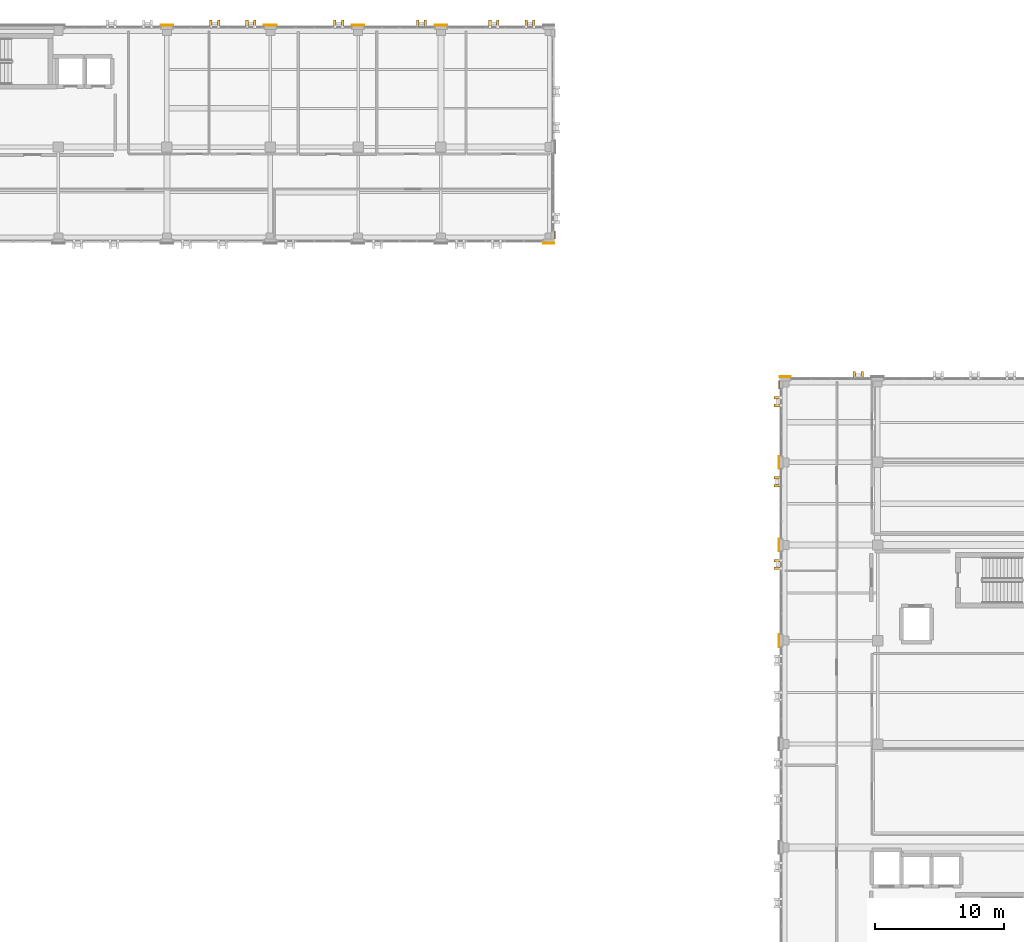
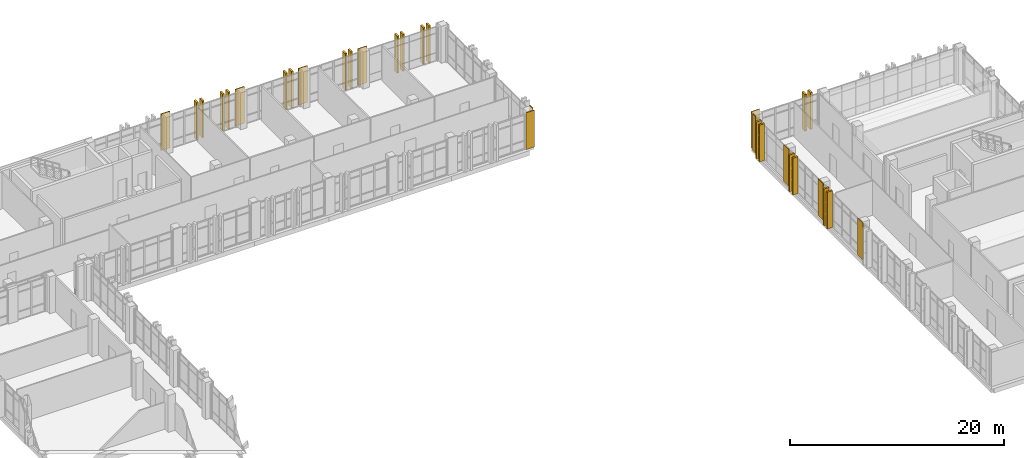
# One storey, part 158 of 165: 31 coverings.
"""IFC4 building model written with IfcOpenShell, lengths in metres."""

from ifc_helpers import new_model, si_unit, direction, frame, origin, origin_2d, place, context, subcontext, project, spatial, rectangle, extrude, material, layer, layer_set, type_object, element, save


model = new_model("IFC4")

# Units and contexts
model_context = context("Model", 3, precision=1e-05, world=origin(), true_north=direction((0.0, 1.0)))
body_context = subcontext(model_context, "Body", "Model", "MODEL_VIEW")
ifc_project = project(units=[si_unit("LENGTHUNIT", "METRE"), si_unit("AREAUNIT", "SQUARE_METRE"), si_unit("VOLUMEUNIT", "CUBIC_METRE"), si_unit("PLANEANGLEUNIT", "RADIAN"), si_unit("MASSUNIT", "GRAM", prefix="KILO")], contexts=[model_context])

# Site, building, storey
site_placement = place(None, origin())
site = spatial("IfcSite", under=ifc_project, at=site_placement, CompositionType="ELEMENT")
building_placement = place(site_placement, origin())
building = spatial("IfcBuilding", under=site, at=building_placement, Name="Qalavern Law Courts", CompositionType="ELEMENT")
storey_placement = place(building_placement, frame((0.0, 0.0, 14.39990234375)))
storey = spatial("IfcBuildingStorey", under=building, at=storey_placement, Name="L03", CompositionType="ELEMENT", Elevation=14.39990234375)

# Coverings
ifc_material = material(Name="Precast concrete C40/50", Category="concrete")
ifc_layer_1 = layer(ifc_material, 0.199951171875)
ifc_layer_set_1 = layer_set([ifc_layer_1], Name="Precast concrete C40/50")
covering_type_1 = type_object("IfcCoveringType", Name="ENV-BLD-1", PredefinedType="CLADDING", material=ifc_layer_set_1)
for number, where, z_axis, x_axis, name in (
    (1, (90.60009765625, 85.96240234375, 0.005126953125), (0.0, 0.0, 1.0), (0.0, 1.0, 0.0), "Absheron stone facade blade 0647"),
    (2, (90.0, 85.96240234375, 0.005126953125), (0.0, 0.0, 1.0), (0.0, 1.0, 0.0), "Absheron stone facade blade 0648"),
    (3, (84.03759765625, 84.199951171875, 0.005126953125), (0.0, 0.0, 1.0), (-1.0, 0.0, 0.0), "Absheron stone facade blade 0649"),
    (4, (84.03759765625, 83.60009765625, 0.005126953125), (0.0, 0.0, 1.0), (-1.0, 0.0, 0.0), "Absheron stone facade blade 0650"),
    (5, (84.03759765625, 78.0, 0.005126953125), (0.0, 0.0, 1.0), (-1.0, 0.0, 0.0), "Absheron stone facade blade 0651"),
    (6, (84.03759765625, 77.39990234375, 0.005126953125), (0.0, 0.0, 1.0), (-1.0, 0.0, 0.0), "Absheron stone facade blade 0652"),
    (7, (84.03759765625, 71.60009765625, 0.005126953125), (0.0, 0.0, 1.0), (-1.0, 0.0, 0.0), "Absheron stone facade blade 0653"),
    (8, (84.03759765625, 71.0, 0.005126953125), (0.0, 0.0, 1.0), (-1.0, 0.0, 0.0), "Absheron stone facade blade 0654"),
    (9, (65.199951171875, 113.16259765625, 0.005126953125), (0.0, 0.0, 1.0), (0.0, 1.0, 0.0), "Absheron stone facade blade 1035"),
    (10, (64.60009765625, 113.16259765625, 0.005126953125), (0.0, 0.0, 1.0), (0.0, 1.0, 0.0), "Absheron stone facade blade 1036"),
    (11, (62.39990234375, 113.16259765625, 0.005126953125), (0.0, 0.0, 1.0), (0.0, 1.0, 0.0), "Absheron stone facade blade 1037"),
    (12, (61.800048828125, 113.16259765625, 0.005126953125), (0.0, 0.0, 1.0), (0.0, 1.0, 0.0), "Absheron stone facade blade 1038"),
    (13, (56.800048828125, 113.16259765625, 0.005126953125), (0.0, 0.0, 1.0), (0.0, 1.0, 0.0), "Absheron stone facade blade 1039"),
    (14, (56.199951171875, 113.16259765625, 0.005126953125), (0.0, 0.0, 1.0), (0.0, 1.0, 0.0), "Absheron stone facade blade 1040"),
    (15, (50.39990234375, 113.16259765625, 0.005126953125), (0.0, 0.0, 1.0), (0.0, 1.0, 0.0), "Absheron stone facade blade 1041"),
    (16, (49.800048828125, 113.16259765625, 0.005126953125), (0.0, 0.0, 1.0), (0.0, 1.0, 0.0), "Absheron stone facade blade 1042"),
    (17, (43.60009765625, 113.16259765625, 0.005126953125), (0.0, 0.0, 1.0), (0.0, 1.0, 0.0), "Absheron stone facade blade 1043"),
    (18, (43.0, 113.16259765625, 0.005126953125), (0.0, 0.0, 1.0), (0.0, 1.0, 0.0), "Absheron stone facade blade 1044"),
    (19, (40.800048828125, 113.16259765625, 0.005126953125), (0.0, 0.0, 1.0), (0.0, 1.0, 0.0), "Absheron stone facade blade 1045"),
    (20, (40.199951171875, 113.16259765625, 0.005126953125), (0.0, 0.0, 1.0), (0.0, 1.0, 0.0), "Absheron stone facade blade 1046"),
):
    element("IfcCovering", number, at=place(storey_placement, frame(where, z_axis=z_axis, x_axis=x_axis)), inside=storey, type_object=covering_type_1, Name=name, PredefinedType="CLADDING", context=body_context, shape_type="SweptSolid", body=[
        extrude(rectangle(XDim=0.5400390625, YDim=0.199951171875, at=origin_2d()), origin(), (0.0, 0.0, 1.0), 4.18994140625),
    ])
ifc_layer_2 = layer(ifc_material, 0.072021484375)
ifc_layer_set_2 = layer_set([ifc_layer_2], Name="Precast concrete C40/50")
covering_type_2 = type_object("IfcCoveringType", Name="ENV-CLD-2", PredefinedType="CLADDING", material=ifc_layer_set_2)
covering_1_placement = place(storey_placement, frame((84.64990234375, 85.8330078125, 0.01025390625), z_axis=(0.0, 0.0, 1.0), x_axis=(-1.0, 0.0, 0.0)))
element("IfcCovering", 21, at=covering_1_placement, inside=storey, type_object=covering_type_2, Name="V4 Absheron limestone pier facing L03 north 3", PredefinedType="CLADDING", context=body_context, shape_type="SweptSolid", body=[
    extrude(rectangle(XDim=0.8798828125, YDim=0.072021484375, at=origin_2d()), origin(), (0.0, 0.0, 1.0), 4.179931640625),
])
covering_2_placement = place(storey_placement, frame((84.1669921875, 85.205078125, 0.01025390625), z_axis=(0.0, 0.0, 1.0), x_axis=(0.0, -1.0, 0.0)))
element("IfcCovering", 22, at=covering_2_placement, inside=storey, type_object=covering_type_2, Name="V4 Absheron limestone pier facing L03 west 1", PredefinedType="CLADDING", context=body_context, shape_type="SweptSolid", body=[
    extrude(rectangle(XDim=0.590087890625, YDim=0.072021484375, at=origin_2d()), origin(), (0.0, 0.0, 1.0), 4.179931640625),
])
for number, where, z_axis, x_axis, name in (
    (23, (84.1669921875, 79.199951171875, 0.01025390625), (0.0, 0.0, 1.0), (0.0, -1.0, 0.0), "V4 Absheron limestone pier facing L03 west 2"),
    (24, (84.1669921875, 72.800048828125, 0.01025390625), (0.0, 0.0, 1.0), (0.0, -1.0, 0.0), "V4 Absheron limestone pier facing L03 west 3"),
    (25, (84.1669921875, 65.39990234375, 0.01025390625), (0.0, 0.0, 1.0), (0.0, -1.0, 0.0), "V4 Absheron limestone pier facing L03 west 4"),
):
    element("IfcCovering", number, at=place(storey_placement, frame(where, z_axis=z_axis, x_axis=x_axis)), inside=storey, type_object=covering_type_2, Name=name, PredefinedType="CLADDING", context=body_context, shape_type="SweptSolid", body=[
        extrude(rectangle(XDim=0.97998046875, YDim=0.072021484375, at=origin_2d()), origin(), (0.0, 0.0, 1.0), 4.179931640625),
    ])
covering_3_placement = place(storey_placement, frame((66.35009765625, 96.1669921875, 0.01025390625), z_axis=(0.0, 0.0, 1.0), x_axis=(1.0, 0.0, 0.0)))
element("IfcCovering", 26, at=covering_3_placement, inside=storey, type_object=covering_type_2, Name="V5 Absheron limestone pier facing L03 south 7", PredefinedType="CLADDING", context=body_context, shape_type="SweptSolid", body=[
    extrude(rectangle(XDim=0.8798828125, YDim=0.072021484375, at=origin_2d()), origin(), (0.0, 0.0, 1.0), 4.179931640625),
])
covering_4_placement = place(storey_placement, frame((66.8330078125, 96.794921875, 0.01025390625), z_axis=(0.0, 0.0, 1.0), x_axis=(0.0, 1.0, 0.0)))
element("IfcCovering", 27, at=covering_4_placement, inside=storey, type_object=covering_type_2, Name="V5 Absheron limestone pier facing L03 east 1", PredefinedType="CLADDING", context=body_context, shape_type="SweptSolid", body=[
    extrude(rectangle(XDim=0.590087890625, YDim=0.072021484375, at=origin_2d()), origin(), (0.0, 0.0, 1.0), 4.179931640625),
])
for number, where, z_axis, x_axis, name in (
    (28, (58.0, 113.032958984375, 0.01025390625), (0.0, 0.0, 1.0), (-1.0, 0.0, 0.0), "V5 Absheron limestone pier facing L03 north 2"),
    (29, (51.60009765625, 113.032958984375, 0.01025390625), (0.0, 0.0, 1.0), (-1.0, 0.0, 0.0), "V5 Absheron limestone pier facing L03 north 3"),
    (30, (44.800048828125, 113.032958984375, 0.01025390625), (0.0, 0.0, 1.0), (-1.0, 0.0, 0.0), "V5 Absheron limestone pier facing L03 north 4"),
    (31, (36.800048828125, 113.032958984375, 0.01025390625), (0.0, 0.0, 1.0), (-1.0, 0.0, 0.0), "V5 Absheron limestone pier facing L03 north 5"),
):
    element("IfcCovering", number, at=place(storey_placement, frame(where, z_axis=z_axis, x_axis=x_axis)), inside=storey, type_object=covering_type_2, Name=name, PredefinedType="CLADDING", context=body_context, shape_type="SweptSolid", body=[
        extrude(rectangle(XDim=0.97998046875, YDim=0.072021484375, at=origin_2d()), origin(), (0.0, 0.0, 1.0), 4.179931640625),
    ])

save(model, "model.ifc")
